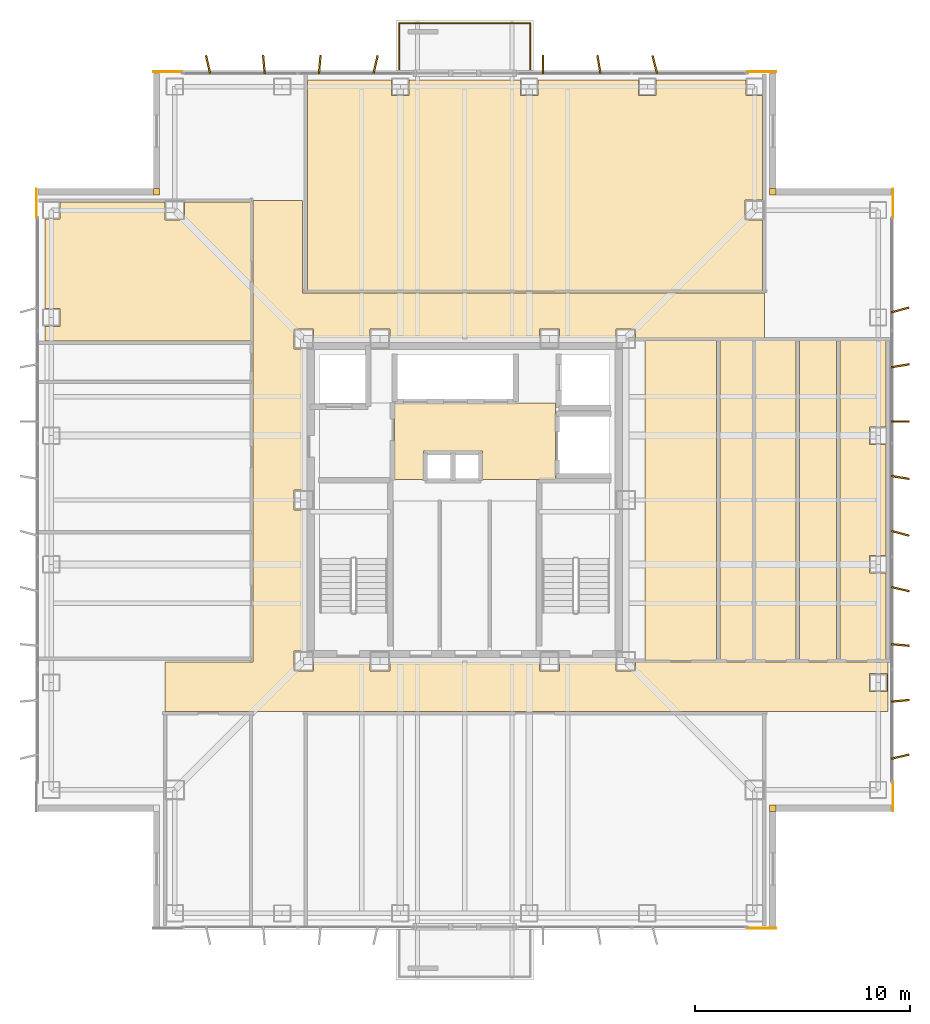
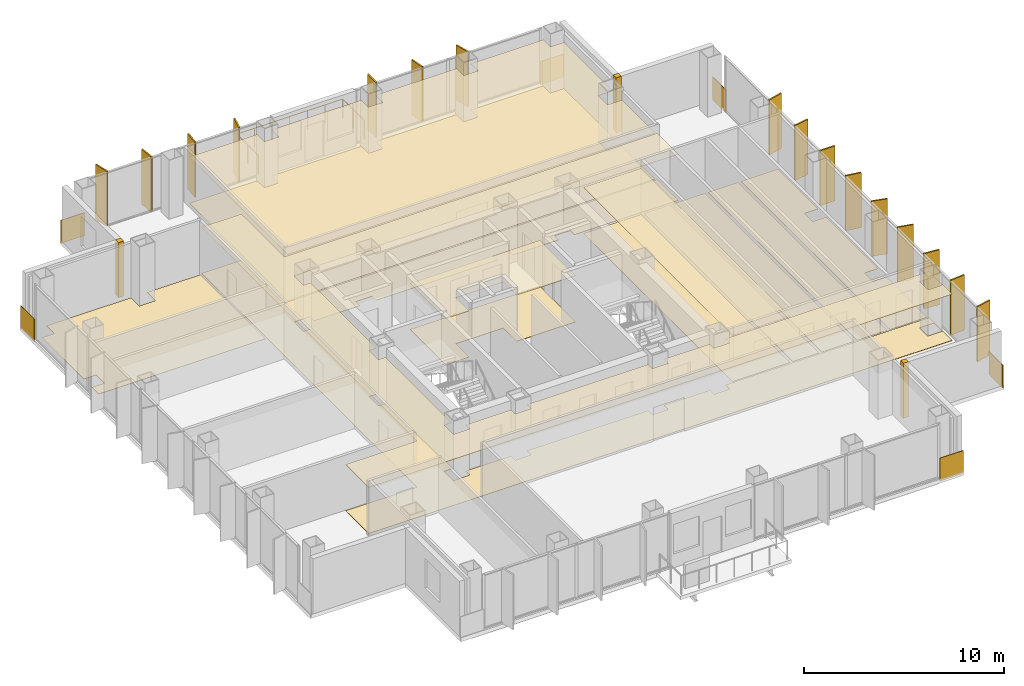
# One storey, part 13 of 13: 22 coverings, 16 shading devices, 3 railings.
"""IFC4 building model written with IfcOpenShell, lengths in metres."""

from ifc_helpers import new_model, si_unit, direction, frame, frame_2d, origin, origin_2d, place, context, subcontext, project, spatial, polyline, rectangle, circle, outline, extrude, material, layer, layer_set, type_object, element, save


model = new_model("IFC4")

# Units and contexts
model_context = context("Model", 3, precision=1e-05, world=origin(), true_north=direction((0.0, 1.0)))
body_context = subcontext(model_context, "Body", "Model", "MODEL_VIEW")
ifc_project = project(units=[si_unit("LENGTHUNIT", "METRE"), si_unit("AREAUNIT", "SQUARE_METRE"), si_unit("VOLUMEUNIT", "CUBIC_METRE"), si_unit("PLANEANGLEUNIT", "RADIAN"), si_unit("MASSUNIT", "GRAM", prefix="KILO")], contexts=[model_context])

# Site, building, storey
site_placement = place(None, origin())
site = spatial("IfcSite", under=ifc_project, at=site_placement, CompositionType="ELEMENT")
building_placement = place(site_placement, origin())
building = spatial("IfcBuilding", under=site, at=building_placement, Name="Trevonay Congress Spire", CompositionType="ELEMENT")
storey_placement = place(building_placement, frame((0.0, 0.0, 205.800048828125)))
storey = spatial("IfcBuildingStorey", under=building, at=storey_placement, Name="L53", CompositionType="ELEMENT", Elevation=205.800048828125)

# Coverings
ifc_material_1 = material(Name="Acoustic Mineral Fibre Board", Category="gypsum")
ifc_layer_1 = layer(ifc_material_1, 0.02490234375, Name="Acoustic Mineral Fibre Board")
ifc_layer_set_1 = layer_set([ifc_layer_1], Name="Acoustic Mineral Fibre Board")
covering_type_1 = type_object("IfcCoveringType", Name="COV-CEIL-ACOUSTIC", PredefinedType="CEILING", material=ifc_layer_set_1)
covering_1_placement = place(storey_placement, frame((0.0, 0.0, 2.81005859375)))
element("IfcCovering", 1, at=covering_1_placement, inside=storey, type_object=covering_type_1, Name="L53 Central and High-Rise Passenger Lift Lobby acoustic suspended ceiling", PredefinedType="CEILING", context=body_context, shape_type="SweptSolid", body=[
    extrude(outline(polyline([(-3.280029296875, 0.949951171875), (-1.919921875, 0.949951171875), (-1.919921875, 2.280029296875), (0.820068359375, 2.280029296875), (0.820068359375, 0.949951171875), (4.219970703125, 0.949951171875), (4.219970703125, 4.52001953125), (-3.280029296875, 4.52001953125), (-3.280029296875, 0.949951171875)])), origin(), (0.0, 0.0, 1.0), 0.02490234375),
])
covering_2_placement = place(storey_placement, frame((0.0, 0.0, 2.81005859375)))
element("IfcCovering", 2, at=covering_2_placement, inside=storey, type_object=covering_type_1, Name="L53 Cruciform Boulevard Corridor acoustic suspended ceiling", PredefinedType="CEILING", context=body_context, shape_type="SweptSolid", body=[
    extrude(outline(polyline([(19.699951171875, -7.550048828125), (19.699951171875, -9.85009765625), (-13.949951171875, -9.85009765625), (-13.949951171875, -7.550048828125), (-9.85009765625, -7.550048828125), (-9.85009765625, 13.949951171875), (-7.550048828125, 13.949951171875), (-7.550048828125, 9.64990234375), (13.949951171875, 9.64990234375), (13.949951171875, 7.550048828125), (7.9599609375, 7.550048828125), (7.9599609375, 7.9599609375), (7.0400390625, 7.9599609375), (7.0400390625, 7.550048828125), (4.409912109375, 7.550048828125), (4.409912109375, 7.9599609375), (3.489990234375, 7.9599609375), (3.489990234375, 7.550048828125), (-3.489990234375, 7.550048828125), (-3.489990234375, 7.9599609375), (-4.409912109375, 7.9599609375), (-4.409912109375, 7.550048828125), (-7.0400390625, 7.550048828125), (-7.0400390625, 7.9599609375), (-7.9599609375, 7.9599609375), (-7.9599609375, 7.0400390625), (-7.550048828125, 7.0400390625), (-7.550048828125, 0.4599609375), (-7.9599609375, 0.4599609375), (-7.9599609375, -0.4599609375), (-7.550048828125, -0.4599609375), (-7.550048828125, -7.0400390625), (-7.9599609375, -7.0400390625), (-7.9599609375, -7.9599609375), (-7.0400390625, -7.9599609375), (-7.0400390625, -7.550048828125), (-4.409912109375, -7.550048828125), (-4.409912109375, -7.9599609375), (-3.489990234375, -7.9599609375), (-3.489990234375, -7.550048828125), (3.489990234375, -7.550048828125), (3.489990234375, -7.9599609375), (4.409912109375, -7.9599609375), (4.409912109375, -7.550048828125), (7.0400390625, -7.550048828125), (7.0400390625, -7.9599609375), (7.9599609375, -7.9599609375), (7.9599609375, -7.550048828125), (19.699951171875, -7.550048828125)]), holes=[polyline([(19.659912109375, -8.090087890625), (18.840087890625, -8.090087890625), (18.840087890625, -8.909912109375), (19.659912109375, -8.909912109375), (19.659912109375, -8.090087890625)])]), origin(), (0.0, 0.0, 1.0), 0.02490234375),
])
covering_3_placement = place(storey_placement, frame((0.0, 0.0, 2.81005859375)))
element("IfcCovering", 3, at=covering_3_placement, inside=storey, type_object=covering_type_1, Name="L53 Sky Pilates and Fitness Studio Lounge acoustic suspended ceiling", PredefinedType="CEILING", context=body_context, shape_type="SweptSolid", body=[
    extrude(outline(polyline([(13.8701171875, 9.72998046875), (-7.320068359375, 9.72998046875), (-7.320068359375, 19.550048828125), (-3.409912109375, 19.550048828125), (-3.409912109375, 18.840087890625), (-2.590087890625, 18.840087890625), (-2.590087890625, 19.550048828125), (2.590087890625, 19.550048828125), (2.590087890625, 18.840087890625), (3.409912109375, 18.840087890625), (3.409912109375, 19.550048828125), (8.090087890625, 19.550048828125), (8.090087890625, 18.840087890625), (8.909912109375, 18.840087890625), (8.909912109375, 19.550048828125), (13.090087890625, 19.550048828125), (13.090087890625, 18.840087890625), (13.8701171875, 18.840087890625), (13.8701171875, 13.9599609375), (13.0400390625, 13.9599609375), (13.0400390625, 13.0400390625), (13.8701171875, 13.0400390625), (13.8701171875, 9.72998046875)])), origin(), (0.0, 0.0, 1.0), 0.02490234375),
])
covering_4_placement = place(storey_placement, frame((0.0, 0.0, 2.81005859375)))
element("IfcCovering", 4, at=covering_4_placement, inside=storey, type_object=covering_type_1, Name="L53 Juice Bar Kitchenette acoustic suspended ceiling", PredefinedType="CEILING", context=body_context, shape_type="SweptSolid", body=[
    extrude(outline(polyline([(8.39990234375, -7.47998046875), (11.719970703125, -7.47998046875), (11.719970703125, 7.419921875), (8.39990234375, 7.419921875), (8.39990234375, -7.47998046875)])), origin(), (0.0, 0.0, 1.0), 0.02490234375),
])
ifc_material_2 = material(Name="Polished Granite Floor Tile", Category="masonry")
ifc_layer_2 = layer(ifc_material_2, 0.02001953125, Name="Polished Granite Floor Tile")
ifc_layer_set_2 = layer_set([ifc_layer_2], Name="Polished Granite Floor Tile")
covering_type_2 = type_object("IfcCoveringType", Name="COV-FLOOR-STONE", PredefinedType="FLOORING", material=ifc_layer_set_2)
covering_5_placement = place(storey_placement, origin())
element("IfcCovering", 5, at=covering_5_placement, inside=storey, type_object=covering_type_2, Name="L53 Central and High-Rise Passenger Lift Lobby floor finish", PredefinedType="FLOORING", context=body_context, shape_type="SweptSolid", body=[
    extrude(outline(polyline([(-3.280029296875, 0.949951171875), (-1.919921875, 0.949951171875), (-1.919921875, 2.280029296875), (0.820068359375, 2.280029296875), (0.820068359375, 0.949951171875), (4.219970703125, 0.949951171875), (4.219970703125, 4.52001953125), (-3.280029296875, 4.52001953125), (-3.280029296875, 0.949951171875)])), origin(), (0.0, 0.0, 1.0), 0.02001953125),
])
covering_6_placement = place(storey_placement, origin())
element("IfcCovering", 6, at=covering_6_placement, inside=storey, type_object=covering_type_2, Name="L53 Cruciform Boulevard Corridor floor finish", PredefinedType="FLOORING", context=body_context, shape_type="SweptSolid", body=[
    extrude(outline(polyline([(19.699951171875, -7.550048828125), (19.699951171875, -9.85009765625), (-13.949951171875, -9.85009765625), (-13.949951171875, -7.550048828125), (-9.85009765625, -7.550048828125), (-9.85009765625, 13.949951171875), (-7.550048828125, 13.949951171875), (-7.550048828125, 9.64990234375), (13.949951171875, 9.64990234375), (13.949951171875, 7.550048828125), (7.9599609375, 7.550048828125), (7.9599609375, 7.9599609375), (7.0400390625, 7.9599609375), (7.0400390625, 7.550048828125), (4.409912109375, 7.550048828125), (4.409912109375, 7.9599609375), (3.489990234375, 7.9599609375), (3.489990234375, 7.550048828125), (-3.489990234375, 7.550048828125), (-3.489990234375, 7.9599609375), (-4.409912109375, 7.9599609375), (-4.409912109375, 7.550048828125), (-7.0400390625, 7.550048828125), (-7.0400390625, 7.9599609375), (-7.9599609375, 7.9599609375), (-7.9599609375, 7.0400390625), (-7.550048828125, 7.0400390625), (-7.550048828125, 0.4599609375), (-7.9599609375, 0.4599609375), (-7.9599609375, -0.4599609375), (-7.550048828125, -0.4599609375), (-7.550048828125, -7.0400390625), (-7.9599609375, -7.0400390625), (-7.9599609375, -7.9599609375), (-7.0400390625, -7.9599609375), (-7.0400390625, -7.550048828125), (-4.409912109375, -7.550048828125), (-4.409912109375, -7.9599609375), (-3.489990234375, -7.9599609375), (-3.489990234375, -7.550048828125), (3.489990234375, -7.550048828125), (3.489990234375, -7.9599609375), (4.409912109375, -7.9599609375), (4.409912109375, -7.550048828125), (7.0400390625, -7.550048828125), (7.0400390625, -7.9599609375), (7.9599609375, -7.9599609375), (7.9599609375, -7.550048828125), (19.699951171875, -7.550048828125)]), holes=[polyline([(19.659912109375, -8.090087890625), (18.840087890625, -8.090087890625), (18.840087890625, -8.909912109375), (19.659912109375, -8.909912109375), (19.659912109375, -8.090087890625)])]), origin(), (0.0, 0.0, 1.0), 0.02001953125),
])
covering_7_placement = place(storey_placement, origin())
element("IfcCovering", 7, at=covering_7_placement, inside=storey, type_object=covering_type_2, Name="L53 Floor Supplies and Copy Room floor finish", PredefinedType="FLOORING", context=body_context, shape_type="SweptSolid", body=[
    extrude(outline(polyline([(-9.929931640625, 13.8701171875), (-9.929931640625, 7.409912109375), (-19.550048828125, 7.409912109375), (-19.550048828125, 8.090087890625), (-18.840087890625, 8.090087890625), (-18.840087890625, 8.909912109375), (-19.550048828125, 8.909912109375), (-19.550048828125, 13.090087890625), (-18.840087890625, 13.090087890625), (-18.840087890625, 13.8701171875), (-13.9599609375, 13.8701171875), (-13.9599609375, 13.0400390625), (-13.0400390625, 13.0400390625), (-13.0400390625, 13.8701171875), (-9.929931640625, 13.8701171875)])), origin(), (0.0, 0.0, 1.0), 0.02001953125),
])
covering_8_placement = place(storey_placement, origin())
element("IfcCovering", 8, at=covering_8_placement, inside=storey, type_object=covering_type_2, Name="L53 Juice Bar Kitchenette floor finish", PredefinedType="FLOORING", context=body_context, shape_type="SweptSolid", body=[
    extrude(outline(polyline([(8.39990234375, -7.47998046875), (11.719970703125, -7.47998046875), (11.719970703125, 7.419921875), (8.39990234375, 7.419921875), (8.39990234375, -7.47998046875)])), origin(), (0.0, 0.0, 1.0), 0.02001953125),
])
covering_9_placement = place(storey_placement, origin())
element("IfcCovering", 9, at=covering_9_placement, inside=storey, type_object=covering_type_2, Name="L53 Female Restroom WC floor finish", PredefinedType="FLOORING", context=body_context, shape_type="SweptSolid", body=[
    extrude(outline(polyline([(11.8798828125, -7.47998046875), (13.389892578125, -7.47998046875), (13.389892578125, 7.419921875), (11.8798828125, 7.419921875), (11.8798828125, -7.47998046875)])), origin(), (0.0, 0.0, 1.0), 0.02001953125),
])
covering_10_placement = place(storey_placement, origin())
element("IfcCovering", 10, at=covering_10_placement, inside=storey, type_object=covering_type_2, Name="L53 Floor Supplies and Copy Room floor finish", PredefinedType="FLOORING", context=body_context, shape_type="SweptSolid", body=[
    extrude(outline(polyline([(13.550048828125, -7.47998046875), (15.419921875, -7.47998046875), (15.419921875, 7.419921875), (13.550048828125, 7.419921875), (13.550048828125, -7.47998046875)])), origin(), (0.0, 0.0, 1.0), 0.02001953125),
])
covering_11_placement = place(storey_placement, origin())
element("IfcCovering", 11, at=covering_11_placement, inside=storey, type_object=covering_type_2, Name="L53 Male Restroom WC floor finish", PredefinedType="FLOORING", context=body_context, shape_type="SweptSolid", body=[
    extrude(outline(polyline([(15.580078125, -7.47998046875), (17.320068359375, -7.47998046875), (17.320068359375, 7.419921875), (15.580078125, 7.419921875), (15.580078125, -7.47998046875)])), origin(), (0.0, 0.0, 1.0), 0.02001953125),
])
covering_12_placement = place(storey_placement, origin())
element("IfcCovering", 12, at=covering_12_placement, inside=storey, type_object=covering_type_2, Name="L53 Floor Supplies and Copy Room floor finish", PredefinedType="FLOORING", context=body_context, shape_type="SweptSolid", body=[
    extrude(outline(polyline([(19.6201171875, -7.47998046875), (17.47998046875, -7.47998046875), (17.47998046875, 7.419921875), (19.6201171875, 7.419921875), (19.6201171875, 3.409912109375), (18.840087890625, 3.409912109375), (18.840087890625, 2.590087890625), (19.6201171875, 2.590087890625), (19.6201171875, -2.590087890625), (18.840087890625, -2.590087890625), (18.840087890625, -3.409912109375), (19.6201171875, -3.409912109375), (19.6201171875, -7.47998046875)])), origin(), (0.0, 0.0, 1.0), 0.02001953125),
])
ifc_material_3 = material(Name="Engineered Oak Flooring", Category="wood")
ifc_layer_3 = layer(ifc_material_3, 0.01806640625, Name="Engineered Oak Flooring")
ifc_layer_set_3 = layer_set([ifc_layer_3], Name="Engineered Oak Flooring")
covering_type_3 = type_object("IfcCoveringType", Name="COV-FLOOR-TIMBER", PredefinedType="FLOORING", material=ifc_layer_set_3)
covering_13_placement = place(storey_placement, origin())
element("IfcCovering", 13, at=covering_13_placement, inside=storey, type_object=covering_type_3, Name="L53 Sky Pilates and Fitness Studio Lounge floor finish", PredefinedType="FLOORING", context=body_context, shape_type="SweptSolid", body=[
    extrude(outline(polyline([(13.8701171875, 9.72998046875), (-7.320068359375, 9.72998046875), (-7.320068359375, 19.550048828125), (-3.409912109375, 19.550048828125), (-3.409912109375, 18.840087890625), (-2.590087890625, 18.840087890625), (-2.590087890625, 19.550048828125), (2.590087890625, 19.550048828125), (2.590087890625, 18.840087890625), (3.409912109375, 18.840087890625), (3.409912109375, 19.550048828125), (8.090087890625, 19.550048828125), (8.090087890625, 18.840087890625), (8.909912109375, 18.840087890625), (8.909912109375, 19.550048828125), (13.090087890625, 19.550048828125), (13.090087890625, 18.840087890625), (13.8701171875, 18.840087890625), (13.8701171875, 13.9599609375), (13.0400390625, 13.9599609375), (13.0400390625, 13.0400390625), (13.8701171875, 13.0400390625), (13.8701171875, 9.72998046875)])), origin(), (0.0, 0.0, 1.0), 0.01806640625),
])
ifc_material_4 = material(Name="Pale Anodised Aluminium EN AW-6063-T6", Category="aluminium")
ifc_layer_4 = layer(ifc_material_4, 0.0400390625, Name="Pale Anodised Aluminium EN AW-6063-T6")
ifc_layer_set_4 = layer_set([ifc_layer_4], Name="Pale Anodised Aluminium EN AW-6063-T6")
covering_type_4 = type_object("IfcCoveringType", Name="COV-SPANDREL-PALE-METAL", PredefinedType="CLADDING", material=ifc_layer_set_4)
covering_14_placement = place(storey_placement, origin())
element("IfcCovering", 14, at=covering_14_placement, inside=storey, type_object=covering_type_4, Name="L53 SE re-entrant notch corner closure trim", PredefinedType="CLADDING", context=body_context, shape_type="SweptSolid", body=[
    extrude(outline(polyline([(14.199951171875, -14.5), (14.5, -14.5), (14.5, -14.199951171875), (14.199951171875, -14.199951171875), (14.199951171875, -14.5)])), origin(), (0.0, 0.0, 1.0), 3.35986328125),
])
for number, where, z_axis, x_axis, name in (
    (15, (19.93994140625, -13.14990234375, -0.150146484375), (0.0, 0.0, 1.0), (0.0, -1.0, 0.0), "L53 SE corner pier spandrel cladding 1"),
    (16, (13.14990234375, -19.93994140625, -0.150146484375), (0.0, 0.0, 1.0), (1.0, 0.0, 0.0), "L53 SE corner pier spandrel cladding 2"),
):
    element("IfcCovering", number, at=place(storey_placement, frame(where, z_axis=z_axis, x_axis=x_axis)), inside=storey, type_object=covering_type_4, Name=name, PredefinedType="CLADDING", context=body_context, shape_type="SweptSolid", body=[
        extrude(rectangle(XDim=1.35009765625, YDim=0.0400390625, at=frame_2d((0.675048828125, 0.0))), origin(), (0.0, 0.0, 1.0), 1.400146484375),
    ])
covering_15_placement = place(storey_placement, origin())
element("IfcCovering", 17, at=covering_15_placement, inside=storey, type_object=covering_type_4, Name="L53 NE re-entrant notch corner closure trim", PredefinedType="CLADDING", context=body_context, shape_type="SweptSolid", body=[
    extrude(outline(polyline([(14.199951171875, 14.199951171875), (14.5, 14.199951171875), (14.5, 14.5), (14.199951171875, 14.5), (14.199951171875, 14.199951171875)])), origin(), (0.0, 0.0, 1.0), 3.35986328125),
])
for number, where, z_axis, x_axis, name in (
    (18, (19.93994140625, 13.14990234375, -0.150146484375), (0.0, 0.0, 1.0), (0.0, 1.0, 0.0), "L53 NE corner pier spandrel cladding 1"),
    (19, (13.14990234375, 19.93994140625, -0.150146484375), (0.0, 0.0, 1.0), (1.0, 0.0, 0.0), "L53 NE corner pier spandrel cladding 2"),
):
    element("IfcCovering", number, at=place(storey_placement, frame(where, z_axis=z_axis, x_axis=x_axis)), inside=storey, type_object=covering_type_4, Name=name, PredefinedType="CLADDING", context=body_context, shape_type="SweptSolid", body=[
        extrude(rectangle(XDim=1.35009765625, YDim=0.0400390625, at=frame_2d((0.675048828125, 0.0))), origin(), (0.0, 0.0, 1.0), 1.400146484375),
    ])
covering_16_placement = place(storey_placement, origin())
element("IfcCovering", 20, at=covering_16_placement, inside=storey, type_object=covering_type_4, Name="L53 NW re-entrant notch corner closure trim", PredefinedType="CLADDING", context=body_context, shape_type="SweptSolid", body=[
    extrude(outline(polyline([(-14.5, 14.199951171875), (-14.199951171875, 14.199951171875), (-14.199951171875, 14.5), (-14.5, 14.5), (-14.5, 14.199951171875)])), origin(), (0.0, 0.0, 1.0), 3.35986328125),
])
for number, where, z_axis, x_axis, name in (
    (21, (-19.93994140625, 13.14990234375, -0.150146484375), (0.0, 0.0, 1.0), (0.0, 1.0, 0.0), "L53 NW corner pier spandrel cladding 1"),
    (22, (-13.14990234375, 19.93994140625, -0.150146484375), (0.0, 0.0, 1.0), (-1.0, 0.0, 0.0), "L53 NW corner pier spandrel cladding 2"),
):
    element("IfcCovering", number, at=place(storey_placement, frame(where, z_axis=z_axis, x_axis=x_axis)), inside=storey, type_object=covering_type_4, Name=name, PredefinedType="CLADDING", context=body_context, shape_type="SweptSolid", body=[
        extrude(rectangle(XDim=1.35009765625, YDim=0.0400390625, at=frame_2d((0.675048828125, 0.0))), origin(), (0.0, 0.0, 1.0), 1.400146484375),
    ])

# Railings
railing_type = type_object("IfcRailingType", Name="RAL-EXT-GUARD-115", PredefinedType="GUARDRAIL", material=ifc_material_4)
railing_1_placement = place(storey_placement, frame((-3.050048828125, 20.050048828125, 0.0)))
element("IfcRailing", 23, at=railing_1_placement, inside=storey, type_object=railing_type, Name="L53 perimeter safety guard GRD-L53-TBAL-N-1", PredefinedType="GUARDRAIL", context=body_context, shape_type="SweptSolid", body=[
    extrude(circle(Radius=0.02392578125, at=origin_2d()), frame((0.0, 0.0, 1.1259765625), z_axis=(0.0, 1.0, 0.0), x_axis=(-1.0, 0.0, 0.0)), (0.0, 0.0, 1.0), 2.14990234375),
    extrude(circle(Radius=0.02099609375, at=origin_2d()), origin(), (0.0, 0.0, 1.0), 1.101806640625),
    extrude(circle(Radius=0.02099609375, at=origin_2d()), frame((0.0, 1.074951171875, 0.0)), (0.0, 0.0, 1.0), 1.101806640625),
    extrude(circle(Radius=0.02099609375, at=origin_2d()), frame((0.0, 2.14990234375, 0.0)), (0.0, 0.0, 1.0), 1.101806640625),
])
railing_2_placement = place(storey_placement, frame((-3.050048828125, 22.199951171875, 0.0)))
element("IfcRailing", 24, at=railing_2_placement, inside=storey, type_object=railing_type, Name="L53 perimeter safety guard GRD-L53-TBAL-N-2", PredefinedType="GUARDRAIL", context=body_context, shape_type="SweptSolid", body=[
    extrude(circle(Radius=0.02392578125, at=origin_2d()), frame((0.0, 0.0, 1.1259765625), z_axis=(1.0, 0.0, 0.0), x_axis=(0.0, 1.0, 0.0)), (0.0, 0.0, 1.0), 6.10009765625),
    extrude(circle(Radius=0.02099609375, at=origin_2d()), origin(), (0.0, 0.0, 1.0), 1.101806640625),
    extrude(circle(Radius=0.02099609375, at=origin_2d()), frame((1.0166015625, 0.0, 0.0)), (0.0, 0.0, 1.0), 1.101806640625),
    extrude(circle(Radius=0.02099609375, at=origin_2d()), frame((2.033447265625, 0.0, 0.0)), (0.0, 0.0, 1.0), 1.101806640625),
    extrude(circle(Radius=0.02099609375, at=origin_2d()), frame((3.050048828125, 0.0, 0.0)), (0.0, 0.0, 1.0), 1.101806640625),
    extrude(circle(Radius=0.02099609375, at=origin_2d()), frame((4.066650390625, 0.0, 0.0)), (0.0, 0.0, 1.0), 1.101806640625),
    extrude(circle(Radius=0.02099609375, at=origin_2d()), frame((5.08349609375, 0.0, 0.0)), (0.0, 0.0, 1.0), 1.101806640625),
    extrude(circle(Radius=0.02099609375, at=origin_2d()), frame((6.10009765625, 0.0, 0.0)), (0.0, 0.0, 1.0), 1.101806640625),
])
railing_3_placement = place(storey_placement, frame((3.050048828125, 22.199951171875, 0.0)))
element("IfcRailing", 25, at=railing_3_placement, inside=storey, type_object=railing_type, Name="L53 perimeter safety guard GRD-L53-TBAL-N-3", PredefinedType="GUARDRAIL", context=body_context, shape_type="SweptSolid", body=[
    extrude(circle(Radius=0.02392578125, at=origin_2d()), frame((0.0, 0.0, 1.1259765625), z_axis=(0.0, -1.0, 0.0), x_axis=(1.0, 0.0, 0.0)), (0.0, 0.0, 1.0), 2.14990234375),
    extrude(circle(Radius=0.02099609375, at=origin_2d()), origin(), (0.0, 0.0, 1.0), 1.101806640625),
    extrude(circle(Radius=0.02099609375, at=origin_2d()), frame((0.0, -1.074951171875, 0.0)), (0.0, 0.0, 1.0), 1.101806640625),
    extrude(circle(Radius=0.02099609375, at=origin_2d()), frame((0.0, -2.14990234375, 0.0)), (0.0, 0.0, 1.0), 1.101806640625),
])

# Shading devices
shading_device_type = type_object("IfcShadingDeviceType", Name="SHD-FIN-Z3-PALE-METAL", PredefinedType="USERDEFINED", material=ifc_material_4)
for number, where, z_axis, x_axis, name in (
    (26, (-11.949951171875, 20.280029296875, 0.0), (0.0, 0.0, 1.0), (0.97440931131, 0.224780991261, 0.0), "L53 N vertical pale-metal solar fin 1"),
    (27, (-9.35009765625, 20.280029296875, 0.0), (0.0, 0.0, 1.0), (0.995994383933, 0.089415810539, 0.0), "L53 N vertical pale-metal solar fin 2"),
    (28, (-6.75, 20.280029296875, 0.0), (0.0, 0.0, 1.0), (0.995994383933, -0.089415810539, 0.0), "L53 N vertical pale-metal solar fin 3"),
    (29, (-4.14990234375, 20.280029296875, 0.0), (0.0, 0.0, 1.0), (0.97440931131, -0.224780991261, 0.0), "L53 N vertical pale-metal solar fin 4"),
    (30, (3.64990234375, 20.280029296875, 0.0), (0.0, 0.0, 1.0), (1.0, 0.0, 0.0), "L53 N vertical pale-metal solar fin 7"),
    (31, (6.25, 20.280029296875, 0.0), (0.0, 0.0, 1.0), (0.98587937025, 0.16745706111, 0.0), "L53 N vertical pale-metal solar fin 8"),
    (32, (8.85009765625, 20.280029296875, 0.0), (0.0, 0.0, 1.0), (0.966957007154, 0.2549394954, 0.0), "L53 N vertical pale-metal solar fin 9"),
    (33, (20.280029296875, -11.949951171875, 0.0), (0.0, 0.0, 1.0), (-0.224780991261, 0.97440931131, 0.0), "L53 E vertical pale-metal solar fin 1"),
    (34, (20.280029296875, -9.35009765625, 0.0), (0.0, 0.0, 1.0), (-0.089415810539, 0.995994383933, 0.0), "L53 E vertical pale-metal solar fin 2"),
    (35, (20.280029296875, -6.75, 0.0), (0.0, 0.0, 1.0), (0.089415810539, 0.995994383933, 0.0), "L53 E vertical pale-metal solar fin 3"),
    (36, (20.280029296875, -4.14990234375, 0.0), (0.0, 0.0, 1.0), (0.224780991261, 0.97440931131, 0.0), "L53 E vertical pale-metal solar fin 4"),
    (37, (20.280029296875, -1.550048828125, 0.0), (0.0, 0.0, 1.0), (0.2549394954, 0.966957007154, 0.0), "L53 E vertical pale-metal solar fin 5"),
    (38, (20.280029296875, 1.050048828125, 0.0), (0.0, 0.0, 1.0), (0.16745706111, 0.98587937025, 0.0), "L53 E vertical pale-metal solar fin 6"),
    (39, (20.280029296875, 3.64990234375, 0.0), (0.0, 0.0, 1.0), (0.0, 1.0, 0.0), "L53 E vertical pale-metal solar fin 7"),
    (40, (20.280029296875, 6.25, 0.0), (0.0, 0.0, 1.0), (-0.16745706111, 0.98587937025, 0.0), "L53 E vertical pale-metal solar fin 8"),
    (41, (20.280029296875, 8.85009765625, 0.0), (0.0, 0.0, 1.0), (-0.2549394954, 0.966957007154, 0.0), "L53 E vertical pale-metal solar fin 9"),
):
    element("IfcShadingDevice", number, at=place(storey_placement, frame(where, z_axis=z_axis, x_axis=x_axis)), inside=storey, type_object=shading_device_type, Name=name, ObjectType="SOLAR FIN", PredefinedType="USERDEFINED", context=body_context, shape_type="SweptSolid", body=[
        extrude(rectangle(XDim=0.080078125, YDim=0.85009765625, at=origin_2d()), origin(), (0.0, 0.0, 1.0), 3.360107421875),
    ])

save(model, "model.ifc")
